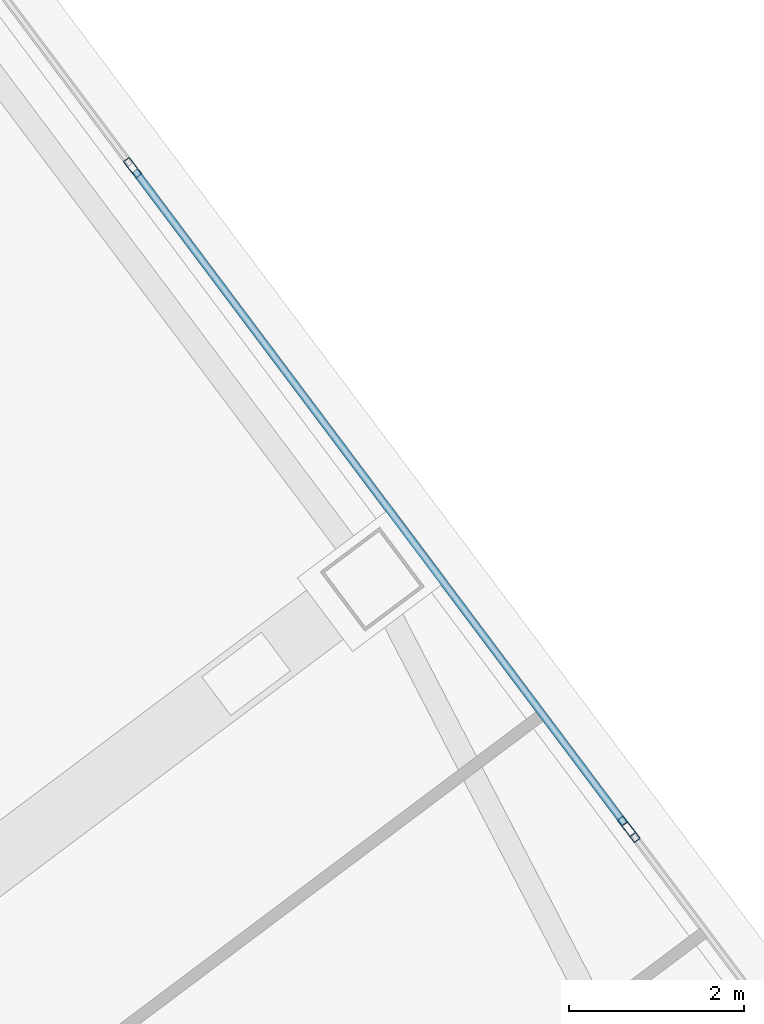
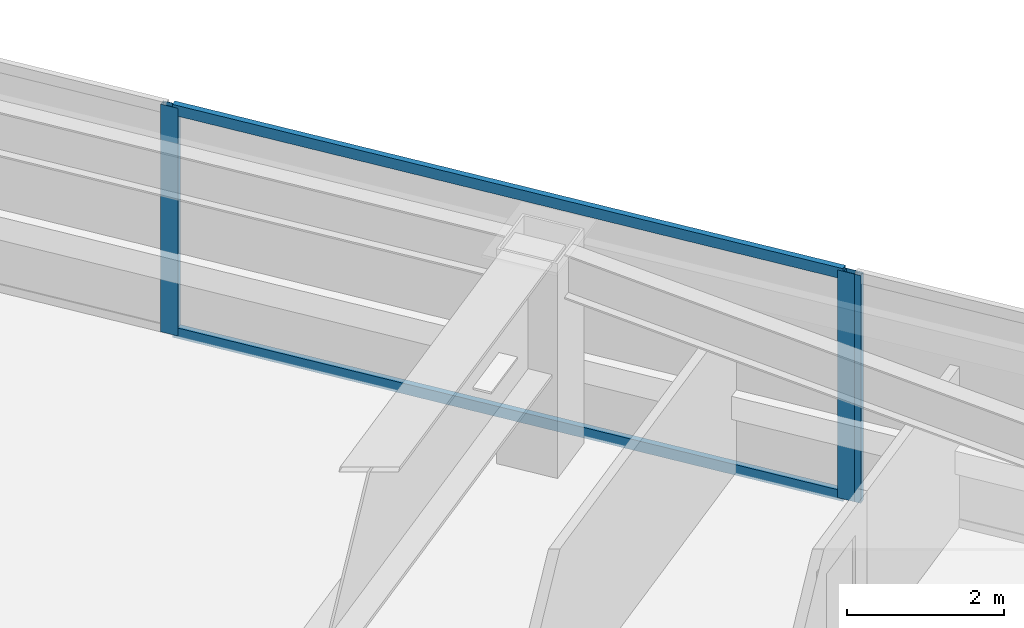
# One storey, part 34 of 48: 5 members, 2 elements without a shape of their own.
"""IFC4 building model written with IfcOpenShell, lengths in metres."""

from ifc_helpers import new_model, si_unit, direction, frame, origin, origin_2d, place, context, subcontext, project, spatial, hollow_rectangle, extrude, material, material_profile, profile_set, type_object, element, aggregate, save


model = new_model("IFC4")

# Units and contexts
model_context = context("Model", 3, precision=1e-05, world=origin(), true_north=direction((0.0, 1.0)))
body_context = subcontext(model_context, "Body", "Model", "MODEL_VIEW")
ifc_project = project(units=[si_unit("LENGTHUNIT", "METRE"), si_unit("AREAUNIT", "SQUARE_METRE"), si_unit("VOLUMEUNIT", "CUBIC_METRE"), si_unit("PLANEANGLEUNIT", "RADIAN"), si_unit("MASSUNIT", "GRAM", prefix="KILO")], contexts=[model_context])

# Site, building, storey
site_placement = place(None, origin())
site = spatial("IfcSite", under=ifc_project, at=site_placement, CompositionType="ELEMENT")
building_placement = place(site_placement, origin())
building = spatial("IfcBuilding", under=site, at=building_placement, Name="Tashvorn Skyway Center", CompositionType="ELEMENT")
storey_placement = place(building_placement, frame((0.0, 0.0, 63.64990234375)))
storey = spatial("IfcBuildingStorey", under=building, at=storey_placement, Name="L16", CompositionType="ELEMENT", Elevation=63.64990234375)

# Curtain wall, members
ifc_material = material(Name="Thermally broken bronze-anodized aluminium 6063-T6", Category="aluminium")
curtain_wall_type = type_object("IfcCurtainWallType", Name="CW-CW-Z1", PredefinedType="NOTDEFINED", material=ifc_material)
curtain_wall_1_placement = place(storey_placement, origin())
curtain_wall_1 = element("IfcCurtainWall", 1, at=curtain_wall_1_placement, inside=storey, type_object=curtain_wall_type, Name="Tower 2 L16 East Unitised Curtain Wall Glazing Group 2", PredefinedType="NOTDEFINED")
ifc_material_profile_1 = material_profile(ifc_material, hollow_rectangle(XDim=0.0849609375, YDim=0.239990234375, WallThickness=0.0048828125, at=origin_2d()), Name="ALU-MULL-85x240")
ifc_profile_set_1 = profile_set([ifc_material_profile_1], Name="Thermally broken bronze-anodized aluminium 6063-T6")
member_type_1 = type_object("IfcMemberType", Name="CWM-CW-Z1", PredefinedType="MULLION", material=ifc_profile_set_1)
member_1_placement = place(storey_placement, frame((131.343994140625, 45.008056640625, 0.0), z_axis=(0.0, 0.0, 1.0), x_axis=(0.799999999998, 0.600000000002, 0.0)))
member_1 = element("IfcMember", 2, at=member_1_placement, type_object=member_type_1, Name="CW-Z1 mullion 2", PredefinedType="MULLION", context=body_context, shape_type="SweptSolid", body=[
    extrude(hollow_rectangle(XDim=0.0849609375, YDim=0.239990234375, WallThickness=0.0048828125, at=origin_2d()), origin(), (0.0, 0.0, 1.0), 3.550048828125),
])
member_2_placement = place(storey_placement, frame((136.982421875, 37.489990234375, 0.0), z_axis=(0.0, 0.0, 1.0), x_axis=(0.799999999998, 0.600000000002, 0.0)))
member_2 = element("IfcMember", 3, at=member_2_placement, type_object=member_type_1, Name="CW-Z1 mullion 3", PredefinedType="MULLION", context=body_context, shape_type="SweptSolid", body=[
    extrude(hollow_rectangle(XDim=0.0849609375, YDim=0.239990234375, WallThickness=0.0048828125, at=origin_2d()), origin(), (0.0, 0.0, 1.0), 3.550048828125),
])

# Curtain wall, member
curtain_wall_2_placement = place(storey_placement, origin())
curtain_wall_2 = element("IfcCurtainWall", 4, at=curtain_wall_2_placement, inside=storey, type_object=curtain_wall_type, Name="Tower 2 L16 East Unitised Curtain Wall Glazing Group 3", PredefinedType="NOTDEFINED")
member_3_placement = place(storey_placement, frame((137.033447265625, 37.422119140625, 0.0), z_axis=(0.0, 0.0, 1.0), x_axis=(0.800001906763, 0.599997457641, 0.0)))
member_3 = element("IfcMember", 5, at=member_3_placement, type_object=member_type_1, Name="CW-Z1 mullion 1", PredefinedType="MULLION", context=body_context, shape_type="SweptSolid", body=[
    extrude(hollow_rectangle(XDim=0.0849609375, YDim=0.239990234375, WallThickness=0.0048828125, at=origin_2d()), origin(), (0.0, 0.0, 1.0), 3.550048828125),
])
aggregate(curtain_wall_2, [member_3])

# Member
ifc_material_profile_2 = material_profile(ifc_material, hollow_rectangle(XDim=0.0849609375, YDim=0.1650390625, WallThickness=0.0048828125, at=origin_2d()), Name="ALU-TRAN-85x165")
ifc_profile_set_2 = profile_set([ifc_material_profile_2], Name="Thermally broken bronze-anodized aluminium 6063-T6")
member_type_2 = type_object("IfcMemberType", Name="CWT-CW-Z1", PredefinedType="USERDEFINED", material=ifc_profile_set_2)
member_4_placement = place(storey_placement, frame((131.369384765625, 44.97412109375, 0.04248046875), z_axis=(0.6, -0.8, 0.0), x_axis=(0.8, 0.6, 0.0)))
member_4 = element("IfcMember", 6, at=member_4_placement, type_object=member_type_2, Name="CW-Z1 transom 2.1", ObjectType="TRANSOM", PredefinedType="USERDEFINED", context=body_context, shape_type="SweptSolid", body=[
    extrude(hollow_rectangle(XDim=0.0849609375, YDim=0.1650390625, WallThickness=0.0048828125, at=origin_2d()), origin(), (0.0, 0.0, 1.0), 9.312744140625),
])

member_5_placement = place(storey_placement, frame((131.369384765625, 44.97412109375, 3.507568359375), z_axis=(0.6, -0.8, 0.0), x_axis=(0.8, 0.6, 0.0)))
member_5 = element("IfcMember", 7, at=member_5_placement, type_object=member_type_2, Name="CW-Z1 transom 2.2", ObjectType="TRANSOM", PredefinedType="USERDEFINED", context=body_context, shape_type="SweptSolid", body=[
    extrude(hollow_rectangle(XDim=0.0849609375, YDim=0.1650390625, WallThickness=0.0048828125, at=origin_2d()), origin(), (0.0, 0.0, 1.0), 9.312744140625),
])

aggregate(curtain_wall_1, [member_1, member_2, member_4, member_5])

save(model, "model.ifc")
